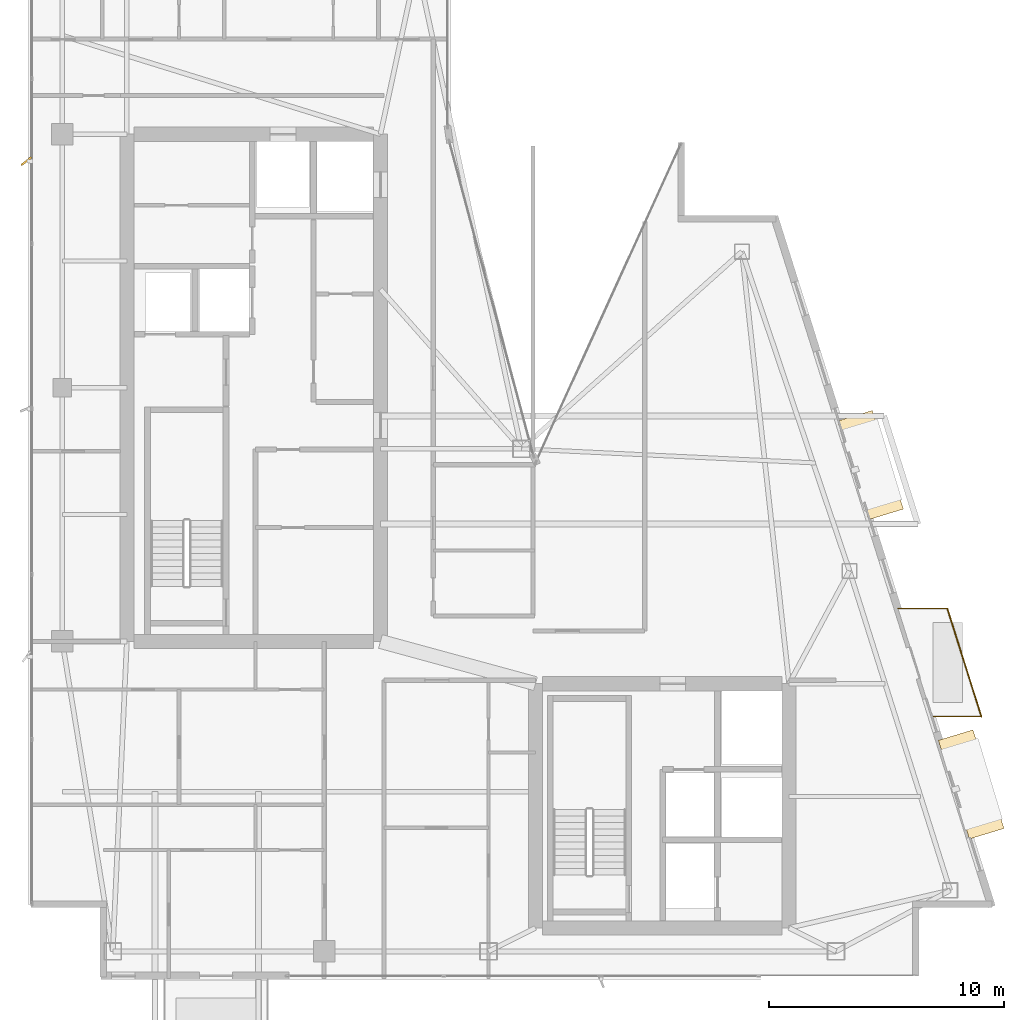
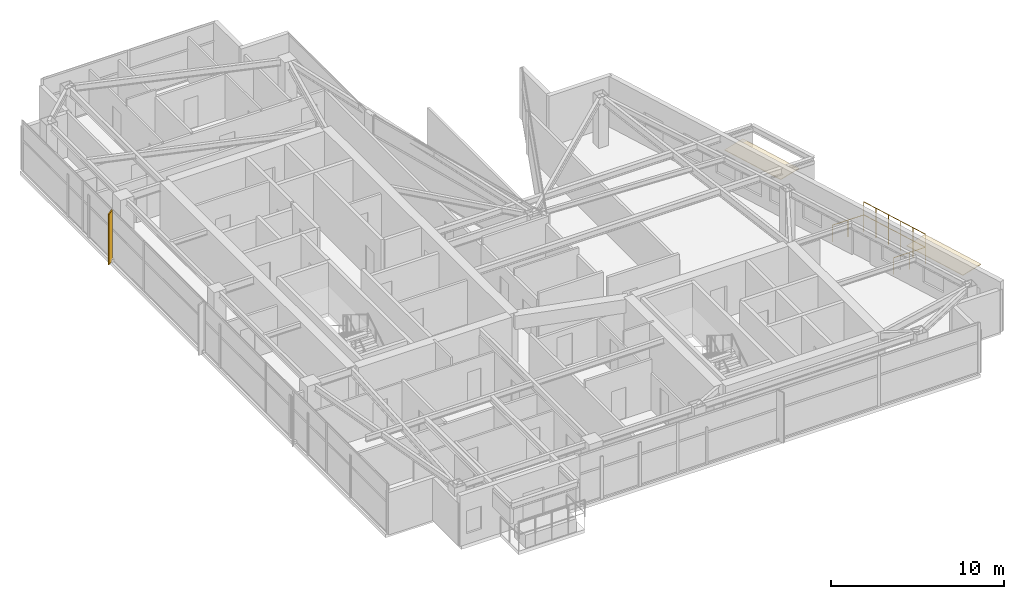
# One storey, part 27 of 27: 2 coverings, 2 railings, 1 shading device.
"""IFC4 building model written with IfcOpenShell, lengths in metres."""

from ifc_helpers import new_model, si_unit, direction, frame, origin, origin_2d, place, context, subcontext, project, spatial, polyline, rectangle, circle, outline, extrude, material, layer, layer_set, type_object, element, save


model = new_model("IFC4")

# Units and contexts
model_context = context("Model", 3, precision=1e-05, world=origin(), true_north=direction((0.0, 1.0)))
body_context = subcontext(model_context, "Body", "Model", "MODEL_VIEW")
ifc_project = project(units=[si_unit("LENGTHUNIT", "METRE"), si_unit("AREAUNIT", "SQUARE_METRE"), si_unit("VOLUMEUNIT", "CUBIC_METRE"), si_unit("PLANEANGLEUNIT", "RADIAN"), si_unit("MASSUNIT", "GRAM", prefix="KILO")], contexts=[model_context])

# Site, building, storey
site_placement = place(None, origin())
site = spatial("IfcSite", under=ifc_project, at=site_placement, CompositionType="ELEMENT")
building_placement = place(site_placement, origin())
building = spatial("IfcBuilding", under=site, at=building_placement, Name="Calvorn Quay Hotel", CompositionType="ELEMENT")
storey_placement = place(building_placement, frame((0.0, 0.0, 298.699951171875)))
storey = spatial("IfcBuildingStorey", under=building, at=storey_placement, Name="L74", CompositionType="ELEMENT", Elevation=298.699951171875)

# Coverings
ifc_material_1 = material(Name="Pale Anodised Aluminium Rainscreen Cladding", Category="aluminium")
ifc_layer = layer(ifc_material_1, 0.044921875)
ifc_layer_set = layer_set([ifc_layer], Name="COV-CROWN-CLAD")
covering_type = type_object("IfcCoveringType", Name="COV-CROWN-CLAD", PredefinedType="CLADDING", material=ifc_layer_set)
covering_1_placement = place(storey_placement, frame((0.0, 0.0, 2.505126953125)))
element("IfcCovering", 1, at=covering_1_placement, inside=storey, type_object=covering_type, Name="Angled Bay Hood Canopy L74-HOOD-1", PredefinedType="CLADDING", context=body_context, shape_type="SweptSolid", body=[
    extrude(outline(polyline([(38.757080078125, 12.587890625), (40.22998046875, 13.034912109375), (41.552978515625, 8.8349609375), (40.080078125, 8.387939453125), (38.757080078125, 12.587890625)])), origin(), (0.0, 0.0, 1.0), 0.044921875),
])
covering_2_placement = place(storey_placement, frame((0.0, 0.0, 2.505126953125)))
element("IfcCovering", 2, at=covering_2_placement, inside=storey, type_object=covering_type, Name="Angled Bay Hood Canopy L74-HOOD-3", PredefinedType="CLADDING", context=body_context, shape_type="SweptSolid", body=[
    extrude(outline(polyline([(34.471923828125, 26.18798828125), (35.945068359375, 26.635009765625), (37.26806640625, 22.43505859375), (35.794921875, 21.988037109375), (34.471923828125, 26.18798828125)])), origin(), (0.0, 0.0, 1.0), 0.044921875),
])

# Railings
ifc_material_2 = material(Name="Pale Anodised Aluminium and Laminated Glass", Category="aluminium")
railing_type = type_object("IfcRailingType", Name="RLG-BALUSTRADE-1200", PredefinedType="BALUSTRADE", material=ifc_material_2)
railing_1_placement = place(storey_placement, frame((38.489013671875, 13.60009765625, 0.0)))
element("IfcRailing", 3, at=railing_1_placement, inside=storey, type_object=railing_type, Name="Tree Balcony Perimeter Balustrade L74-BALC-E", PredefinedType="BALUSTRADE", context=body_context, shape_type="SweptSolid", body=[
    extrude(circle(Radius=0.02392578125, at=origin_2d()), frame((0.0, 0.0, 1.17578125), z_axis=(1.0, 0.0, 0.0), x_axis=(0.0, 1.0, 0.0)), (0.0, 0.0, 1.0), 2.10009765625),
    extrude(circle(Radius=0.02392578125, at=origin_2d()), frame((2.10009765625, 0.0, 1.17578125), z_axis=(-0.30049654061, 0.953782904587, 0.0), x_axis=(-0.953782904587, -0.30049654061, 0.0)), (0.0, 0.0, 1.0), 4.82275390625),
    extrude(circle(Radius=0.02392578125, at=origin_2d()), frame((0.65087890625, 4.599853515625, 1.17578125), z_axis=(-1.0, 0.0, 0.0), x_axis=(0.0, -1.0, 0.0)), (0.0, 0.0, 1.0), 2.099853515625),
    extrude(circle(Radius=0.02099609375, at=origin_2d()), origin(), (0.0, 0.0, 1.0), 1.15185546875),
    extrude(circle(Radius=0.02099609375, at=origin_2d()), frame((1.050048828125, 0.0, 0.0)), (0.0, 0.0, 1.0), 1.15185546875),
    extrude(circle(Radius=0.02099609375, at=origin_2d()), frame((2.10009765625, 0.0, 0.0)), (0.0, 0.0, 1.0), 1.15185546875),
    extrude(circle(Radius=0.02099609375, at=origin_2d()), frame((1.810302734375, 0.919921875, 0.0)), (0.0, 0.0, 1.0), 1.15185546875),
    extrude(circle(Radius=0.02099609375, at=origin_2d()), frame((1.5205078125, 1.83984375, 0.0)), (0.0, 0.0, 1.0), 1.15185546875),
    extrude(circle(Radius=0.02099609375, at=origin_2d()), frame((1.23046875, 2.760009765625, 0.0)), (0.0, 0.0, 1.0), 1.15185546875),
    extrude(circle(Radius=0.02099609375, at=origin_2d()), frame((0.940673828125, 3.679931640625, 0.0)), (0.0, 0.0, 1.0), 1.15185546875),
    extrude(circle(Radius=0.02099609375, at=origin_2d()), frame((0.65087890625, 4.599853515625, 0.0)), (0.0, 0.0, 1.0), 1.15185546875),
    extrude(circle(Radius=0.02099609375, at=origin_2d()), frame((-0.39892578125, 4.599853515625, 0.0)), (0.0, 0.0, 1.0), 1.15185546875),
    extrude(circle(Radius=0.02099609375, at=origin_2d()), frame((-1.448974609375, 4.599853515625, 0.0)), (0.0, 0.0, 1.0), 1.15185546875),
])
railing_2_placement = place(storey_placement, frame((40.589111328125, 13.60009765625, 0.900146484375)))
element("IfcRailing", 4, at=railing_2_placement, inside=storey, type_object=railing_type, Name="Planter Kerb High Safety Screen L74-BALC-E", PredefinedType="BALUSTRADE", context=body_context, shape_type="SweptSolid", body=[
    extrude(circle(Radius=0.02392578125, at=origin_2d()), frame((0.0, 0.0, 1.19580078125), z_axis=(-0.30049654061, 0.953782904587, 0.0), x_axis=(-0.953782904587, -0.30049654061, 0.0)), (0.0, 0.0, 1.0), 4.82275390625),
    extrude(circle(Radius=0.02099609375, at=origin_2d()), origin(), (0.0, 0.0, 1.0), 1.171875),
    extrude(circle(Radius=0.02099609375, at=origin_2d()), frame((-0.289794921875, 0.919921875, 0.0)), (0.0, 0.0, 1.0), 1.171875),
    extrude(circle(Radius=0.02099609375, at=origin_2d()), frame((-0.57958984375, 1.83984375, 0.0)), (0.0, 0.0, 1.0), 1.171875),
    extrude(circle(Radius=0.02099609375, at=origin_2d()), frame((-0.86962890625, 2.760009765625, 0.0)), (0.0, 0.0, 1.0), 1.171875),
    extrude(circle(Radius=0.02099609375, at=origin_2d()), frame((-1.159423828125, 3.679931640625, 0.0)), (0.0, 0.0, 1.0), 1.171875),
    extrude(circle(Radius=0.02099609375, at=origin_2d()), frame((-1.44921875, 4.599853515625, 0.0)), (0.0, 0.0, 1.0), 1.171875),
])

# Shading device
ifc_material_3 = material(Name="Champagne Bronze Anodised Aluminium 6063-T6", Category="aluminium")
shading_device_type = type_object("IfcShadingDeviceType", Name="SHD-FIN-A2", PredefinedType="USERDEFINED", material=ifc_material_3)
shading_device_placement = place(storey_placement, frame((-0.080078125, 37.25, 0.0), z_axis=(0.0, 0.0, 1.0), x_axis=(0.788010753607, 0.615661475326, 0.0)))
element("IfcShadingDevice", 5, at=shading_device_placement, inside=storey, type_object=shading_device_type, Name="Diagonal Sun-Shading Fin L74-W03", ObjectType="FIN", PredefinedType="USERDEFINED", context=body_context, shape_type="SweptSolid", body=[
    extrude(rectangle(XDim=0.550048828125, YDim=0.080078125, at=origin_2d()), origin(), (0.0, 0.0, 1.0), 3.56005859375),
])

save(model, "model.ifc")
